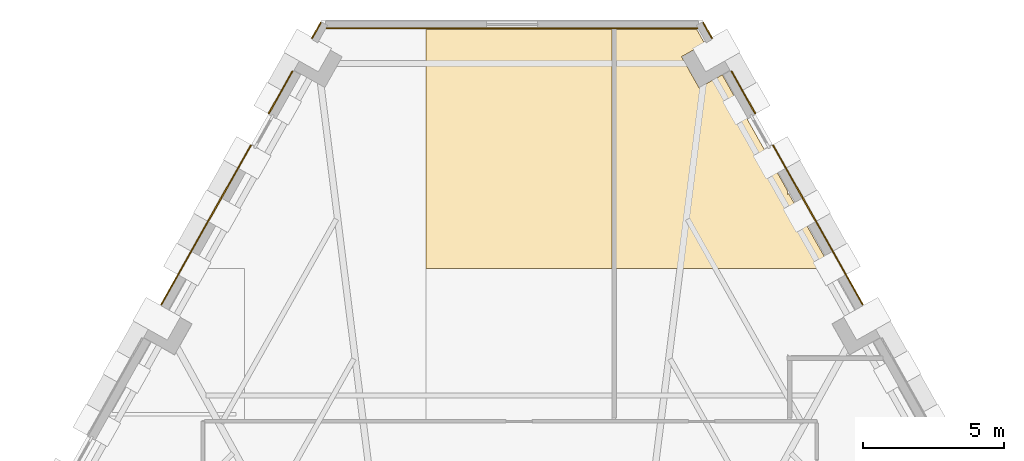
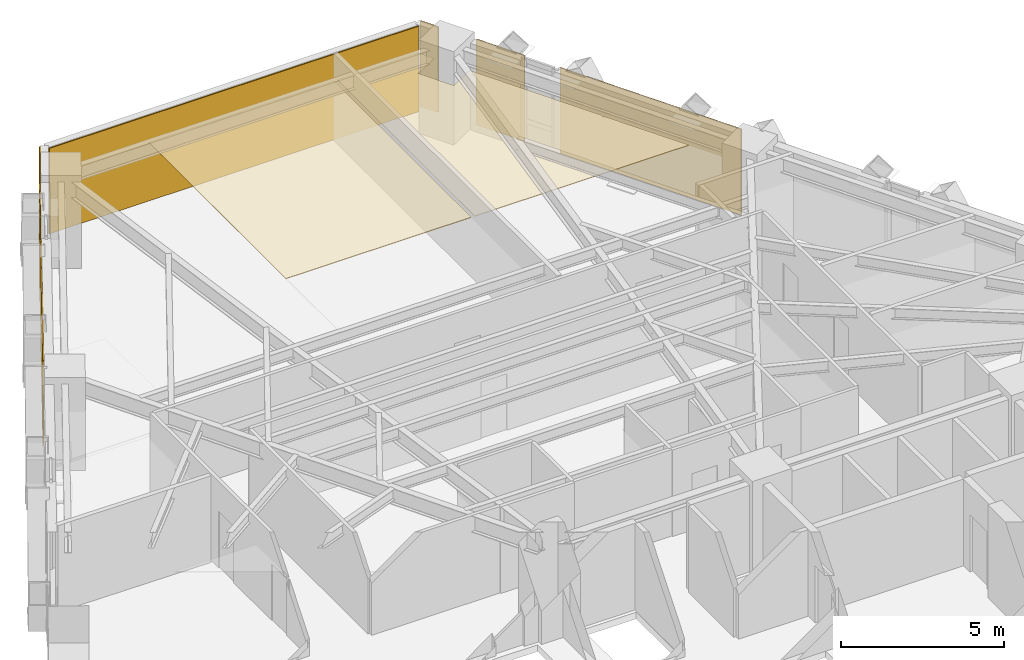
# One storey, part 13 of 13: 9 coverings.
"""IFC4 building model written with IfcOpenShell, lengths in metres."""

from ifc_helpers import new_model, si_unit, direction, frame, origin, place, context, subcontext, project, spatial, polyline, outline, extrude, material, layer, layer_set, type_object, element, save


model = new_model("IFC4")

# Units and contexts
model_context = context("Model", 3, precision=1e-05, world=origin(), true_north=direction((0.0, 1.0)))
body_context = subcontext(model_context, "Body", "Model", "MODEL_VIEW")
ifc_project = project(units=[si_unit("LENGTHUNIT", "METRE"), si_unit("AREAUNIT", "SQUARE_METRE"), si_unit("VOLUMEUNIT", "CUBIC_METRE"), si_unit("PLANEANGLEUNIT", "RADIAN"), si_unit("MASSUNIT", "GRAM", prefix="KILO")], contexts=[model_context])

# Site, building, storey
site_placement = place(None, origin())
site = spatial("IfcSite", under=ifc_project, at=site_placement, CompositionType="ELEMENT")
building_placement = place(site_placement, origin())
building = spatial("IfcBuilding", under=site, at=building_placement, Name="Quenlor Broadcast Tower", CompositionType="ELEMENT")
storey_placement = place(building_placement, frame((0.0, 0.0, 48.60009765625)))
storey = spatial("IfcBuildingStorey", under=building, at=storey_placement, Name="L12", CompositionType="ELEMENT", Elevation=48.60009765625)

# Coverings
ifc_material_1 = material(Name="Acoustic Mineral Fibre Board", Category="other")
ifc_layer_1 = layer(ifc_material_1, 0.02490234375)
ifc_layer_set_1 = layer_set([ifc_layer_1], Name="Acoustic Perforated Mineral Tile Ceiling 25")
covering_type_1 = type_object("IfcCoveringType", Name="Acoustic Perforated Mineral Tile Ceiling 25", PredefinedType="CEILING", material=ifc_layer_set_1)
covering_1_placement = place(storey_placement, frame((0.0, 0.0, 2.224853515625)))
element("IfcCovering", 1, at=covering_1_placement, inside=storey, type_object=covering_type_1, Name="L12 Acoustic Ceiling L12-31-2", PredefinedType="CEILING", context=body_context, shape_type="SweptSolid", body=[
    extrude(outline(polyline([(-3.0400390625, 21.092041015625), (3.5400390625, 21.092041015625), (3.5400390625, 12.64990234375), (-3.0400390625, 12.64990234375), (-3.0400390625, 21.092041015625)])), origin(), (0.0, 0.0, 1.0), 0.025146484375),
])
covering_2_placement = place(storey_placement, frame((0.0, 0.0, 2.224853515625)))
element("IfcCovering", 2, at=covering_2_placement, inside=storey, type_object=covering_type_1, Name="L12 Acoustic Ceiling L12-32-2", PredefinedType="CEILING", context=body_context, shape_type="SweptSolid", body=[
    extrude(outline(polyline([(3.659912109375, 21.092041015625), (6.533203125, 21.092041015625), (6.810791015625, 20.598388671875), (5.989013671875, 20.135986328125), (6.609619140625, 19.03271484375), (7.431396484375, 19.4951171875), (9.739990234375, 15.390869140625), (9.739990234375, 15.267333984375), (9.75341796875, 15.282958984375), (9.775634765625, 15.3017578125), (11.276611328125, 12.64990234375), (3.659912109375, 12.64990234375), (3.659912109375, 21.092041015625)])), origin(), (0.0, 0.0, 1.0), 0.025146484375),
])
ifc_material_2 = material(Name="Architectural Terracotta Ceramic", Category="masonry")
ifc_layer_2 = layer(ifc_material_2, 0.044921875)
ifc_layer_set_2 = layer_set([ifc_layer_2], Name="Fluted Terracotta Rainscreen Cladding Panel")
covering_type_2 = type_object("IfcCoveringType", Name="Fluted Terracotta Rainscreen Cladding Panel", PredefinedType="CLADDING", material=ifc_layer_set_2)
covering_3_placement = place(storey_placement, frame((0.0, 0.0, 0.02001953125)))
element("IfcCovering", 3, at=covering_3_placement, inside=storey, type_object=covering_type_2, Name="L12 Terracotta Rainscreen Cladding L12-SHD-NES0", PredefinedType="CLADDING", context=body_context, shape_type="SweptSolid", body=[
    extrude(outline(polyline([(6.734130859375, 21.330078125), (7.052001953125, 20.76513671875), (7.09130859375, 20.787109375), (6.7734375, 21.35205078125), (6.734130859375, 21.330078125)])), origin(), (0.0, 0.0, 1.0), 3.2099609375),
])
covering_4_placement = place(storey_placement, frame((0.0, 0.0, 0.02001953125)))
element("IfcCovering", 4, at=covering_4_placement, inside=storey, type_object=covering_type_2, Name="L12 Terracotta Rainscreen Cladding L12-NEA-SP1", PredefinedType="CLADDING", context=body_context, shape_type="SweptSolid", body=[
    extrude(outline(polyline([(7.735107421875, 19.612060546875), (8.57958984375, 18.110595703125), (8.618896484375, 18.1328125), (7.7744140625, 19.634033203125), (7.735107421875, 19.612060546875)])), origin(), (0.0, 0.0, 1.0), 3.2099609375),
])
covering_5_placement = place(storey_placement, frame((0.0, 0.0, 0.02001953125)))
element("IfcCovering", 5, at=covering_5_placement, inside=storey, type_object=covering_type_2, Name="L12 Terracotta Rainscreen Cladding L12-NEA-SP2", PredefinedType="CLADDING", context=body_context, shape_type="SweptSolid", body=[
    extrude(outline(polyline([(9.201904296875, 17.00439453125), (12.380615234375, 11.353515625), (12.419677734375, 11.37548828125), (9.2412109375, 17.0263671875), (9.201904296875, 17.00439453125)])), origin(), (0.0, 0.0, 1.0), 3.2099609375),
])
covering_6_placement = place(storey_placement, frame((0.0, 0.0, 0.02001953125)))
element("IfcCovering", 6, at=covering_6_placement, inside=storey, type_object=covering_type_2, Name="L12 Terracotta Rainscreen Cladding L12-SHD-NWS1", PredefinedType="CLADDING", context=body_context, shape_type="SweptSolid", body=[
    extrude(outline(polyline([(-7.052001953125, 20.76513671875), (-6.734130859375, 21.330078125), (-6.7734375, 21.35205078125), (-7.09130859375, 20.787109375), (-7.052001953125, 20.76513671875)])), origin(), (0.0, 0.0, 1.0), 3.2099609375),
])
covering_7_placement = place(storey_placement, frame((0.0, 0.0, 0.02001953125)))
element("IfcCovering", 7, at=covering_7_placement, inside=storey, type_object=covering_type_2, Name="L12 Terracotta Rainscreen Cladding L12-NWC-SP1", PredefinedType="CLADDING", context=body_context, shape_type="SweptSolid", body=[
    extrude(outline(polyline([(-12.380615234375, 11.353515625), (-9.201904296875, 17.00439453125), (-9.2412109375, 17.0263671875), (-12.419677734375, 11.37548828125), (-12.380615234375, 11.353515625)])), origin(), (0.0, 0.0, 1.0), 3.2099609375),
])
covering_8_placement = place(storey_placement, frame((0.0, 0.0, 0.02001953125)))
element("IfcCovering", 8, at=covering_8_placement, inside=storey, type_object=covering_type_2, Name="L12 Terracotta Rainscreen Cladding L12-NWC-SP2", PredefinedType="CLADDING", context=body_context, shape_type="SweptSolid", body=[
    extrude(outline(polyline([(-8.57958984375, 18.110595703125), (-7.735107421875, 19.612060546875), (-7.7744140625, 19.634033203125), (-8.618896484375, 18.1328125), (-8.57958984375, 18.110595703125)])), origin(), (0.0, 0.0, 1.0), 3.2099609375),
])
covering_9_placement = place(storey_placement, frame((0.0, 0.0, 0.02001953125)))
element("IfcCovering", 9, at=covering_9_placement, inside=storey, type_object=covering_type_2, Name="L12 Terracotta Rainscreen Cladding L12-CNR-02", PredefinedType="CLADDING", context=body_context, shape_type="SweptSolid", body=[
    extrude(outline(polyline([(6.568359375, 21.159912109375), (-6.558349609375, 21.159912109375), (-6.558349609375, 21.114990234375), (6.568359375, 21.114990234375), (6.568359375, 21.159912109375)])), origin(), (0.0, 0.0, 1.0), 3.2099609375),
])

save(model, "model.ifc")
